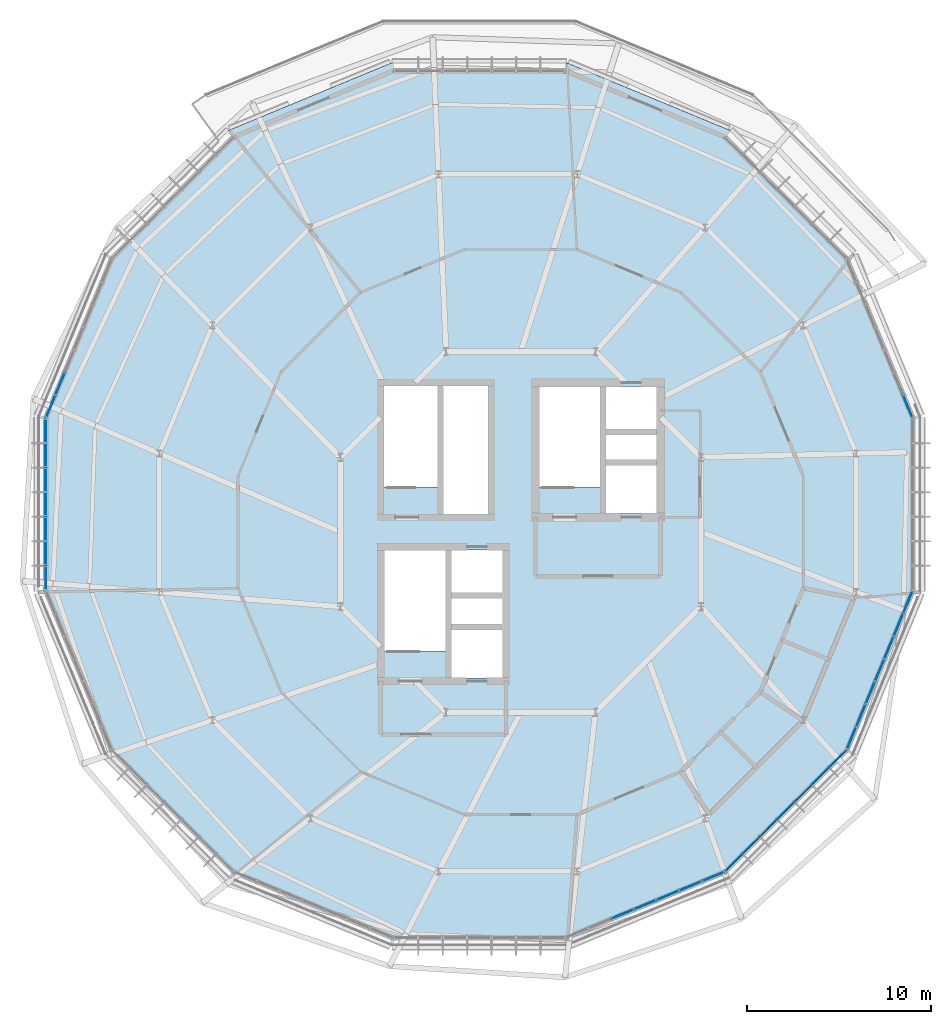
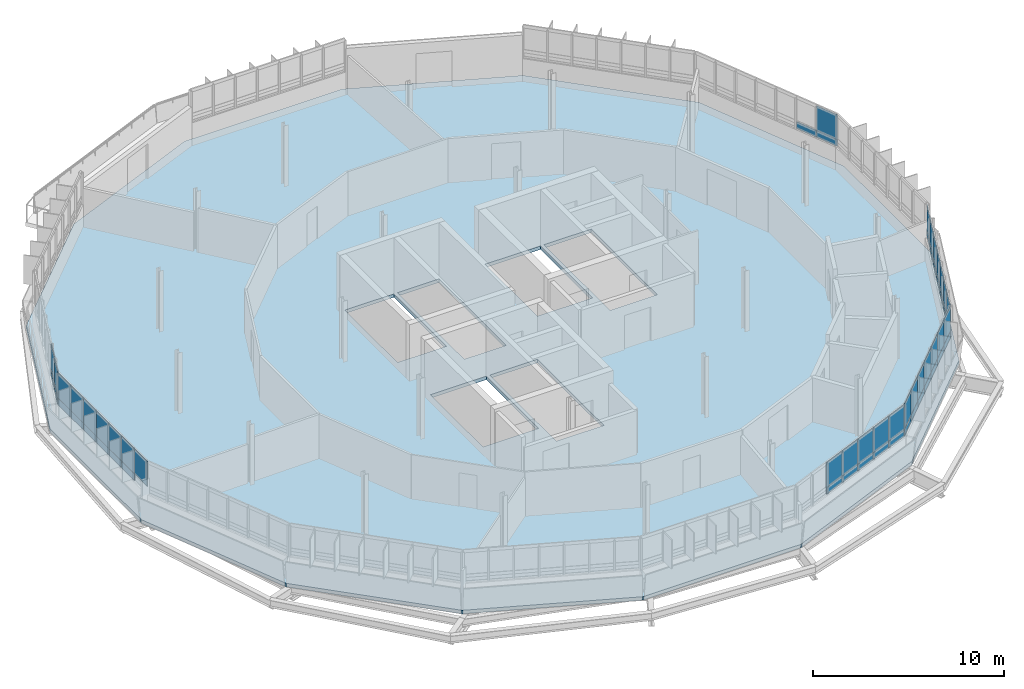
# One storey, part 24 of 31: 58 plates, 1 slab, 6 elements without a shape of their own.
"""IFC4 building model written with IfcOpenShell, lengths in metres."""

from ifc_helpers import new_model, si_unit, derived_unit, direction, frame, origin, origin_2d, place, context, subcontext, project, spatial, polyline, rectangle, outline, extrude, material, layer, layer_set, type_object, element, aggregate, save


model = new_model("IFC4")

# Units and contexts
model_context = context("Model", 3, precision=1e-05, world=origin(), true_north=direction((0.0, 1.0)))
body_context = subcontext(model_context, "Body", "Model", "MODEL_VIEW")
ifc_project = project(units=[si_unit("LENGTHUNIT", "METRE"), si_unit("AREAUNIT", "SQUARE_METRE"), si_unit("VOLUMEUNIT", "CUBIC_METRE"), si_unit("PLANEANGLEUNIT", "RADIAN"), si_unit("MASSUNIT", "GRAM", prefix="KILO"), derived_unit("THERMALTRANSMITTANCEUNIT", [(si_unit("MASSUNIT", "GRAM", prefix="KILO"), 1), (si_unit("TIMEUNIT", "SECOND"), -3), (si_unit("THERMODYNAMICTEMPERATUREUNIT", "KELVIN"), -1)])], contexts=[model_context])

# Site, building, storey
site_placement = place(None, origin())
site = spatial("IfcSite", under=ifc_project, at=site_placement, CompositionType="ELEMENT")
building_placement = place(site_placement, origin())
building = spatial("IfcBuilding", under=site, at=building_placement, Name="Makaiwela Harbour Ferry Terminal", CompositionType="ELEMENT")
storey_placement = place(building_placement, frame((0.0, 0.0, 21.60009765625)))
storey = spatial("IfcBuildingStorey", under=building, at=storey_placement, Name="L05", CompositionType="ELEMENT", Elevation=21.60009765625)

# Curtain wall, plate
ifc_material_1 = material(Name="Marine anodised aluminium 6063-T6", Category="aluminium")
ifc_layer_1 = layer(ifc_material_1, 0.199951171875)
ifc_layer_set_1 = layer_set([ifc_layer_1], Name="Marine anodised aluminium 6063-T6")
curtain_wall_type = type_object("IfcCurtainWallType", Name="ENV-CW-07", PredefinedType="USERDEFINED", material=ifc_layer_set_1)
curtain_wall_1_placement = place(storey_placement, origin())
curtain_wall_1 = element("IfcCurtainWall", 1, at=curtain_wall_1_placement, inside=storey, type_object=curtain_wall_type, Name="Unitised Curtain Wall CWA-058", ObjectType="UNITIZED CURTAIN WALL", PredefinedType="USERDEFINED")
ifc_material_2 = material(Name="Laminated hurricane-impact low-E insulated glazing", Category="glass")
ifc_layer_2 = layer(ifc_material_2, 0.031982421875)
ifc_layer_set_2 = layer_set([ifc_layer_2], Name="Laminated hurricane-impact low-E insulated glazing")
plate_type_1 = type_object("IfcPlateType", Name="CW-PNL-G10", PredefinedType="CURTAIN_PANEL", material=ifc_layer_set_2)
plate_1_placement = place(storey_placement, frame((58.822998046875, 74.423828125, 1.89990234375), z_axis=(0.0, 0.0, 1.0), x_axis=(-0.382683432365, 0.923879532511, 0.0)))
plate_1 = element("IfcPlate", 2, at=plate_1_placement, type_object=plate_type_1, Name="Glazed Vision Panel CWA-058-1G", PredefinedType="CURTAIN_PANEL", context=body_context, shape_type="SweptSolid", body=[
    extrude(rectangle(XDim=1.3291015625, YDim=0.031982421875, at=origin_2d()), origin(), (0.0, 0.0, 1.0), 1.580078125),
])

# Curtain wall, plates
curtain_wall_2_placement = place(storey_placement, origin())
curtain_wall_2 = element("IfcCurtainWall", 3, at=curtain_wall_2_placement, inside=storey, type_object=curtain_wall_type, Name="Unitised Curtain Wall CWA-062", ObjectType="UNITIZED CURTAIN WALL", PredefinedType="USERDEFINED")
plate_2_placement = place(storey_placement, frame((12.78564453125, 75.65185546875, 1.89990234375), z_axis=(0.0, 0.0, 1.0), x_axis=(-0.382683432365, -0.923879532511, 0.0)))
plate_2 = element("IfcPlate", 4, at=plate_2_placement, type_object=plate_type_1, Name="Glazed Vision Panel CWA-062-6G", PredefinedType="CURTAIN_PANEL", context=body_context, shape_type="SweptSolid", body=[
    extrude(rectangle(XDim=1.3291015625, YDim=0.031982421875, at=origin_2d()), origin(), (0.0, 0.0, 1.0), 1.580078125),
])
plate_3_placement = place(storey_placement, frame((12.277099609375, 74.423828125, 1.89990234375), z_axis=(0.0, 0.0, 1.0), x_axis=(-0.382683432365, -0.923879532511, 0.0)))
plate_3 = element("IfcPlate", 5, at=plate_3_placement, type_object=plate_type_1, Name="Glazed Vision Panel CWA-062-7G", PredefinedType="CURTAIN_PANEL", context=body_context, shape_type="SweptSolid", body=[
    extrude(rectangle(XDim=1.3291015625, YDim=0.031982421875, at=origin_2d()), origin(), (0.0, 0.0, 1.0), 1.580078125),
])

curtain_wall_3_placement = place(storey_placement, origin())
curtain_wall_3 = element("IfcCurtainWall", 6, at=curtain_wall_3_placement, inside=storey, type_object=curtain_wall_type, Name="Unitised Curtain Wall CWA-063", ObjectType="UNITIZED CURTAIN WALL", PredefinedType="USERDEFINED")
plate_4_placement = place(storey_placement, frame((12.01123046875, 73.087646484375, 1.89990234375), z_axis=(0.0, 0.0, 1.0), x_axis=(0.0, -1.0, 0.0)))
plate_4 = element("IfcPlate", 7, at=plate_4_placement, type_object=plate_type_1, Name="Glazed Vision Panel CWA-063-1G", PredefinedType="CURTAIN_PANEL", context=body_context, shape_type="SweptSolid", body=[
    extrude(rectangle(XDim=1.3291015625, YDim=0.031982421875, at=origin_2d()), origin(), (0.0, 0.0, 1.0), 1.580078125),
])
plate_5_placement = place(storey_placement, frame((12.01123046875, 71.75830078125, 1.89990234375), z_axis=(0.0, 0.0, 1.0), x_axis=(0.0, -1.0, 0.0)))
plate_5 = element("IfcPlate", 8, at=plate_5_placement, type_object=plate_type_1, Name="Glazed Vision Panel CWA-063-2G", PredefinedType="CURTAIN_PANEL", context=body_context, shape_type="SweptSolid", body=[
    extrude(rectangle(XDim=1.3291015625, YDim=0.031982421875, at=origin_2d()), origin(), (0.0, 0.0, 1.0), 1.580078125),
])
plate_6_placement = place(storey_placement, frame((12.01123046875, 70.42919921875, 1.89990234375), z_axis=(0.0, 0.0, 1.0), x_axis=(0.0, -1.0, 0.0)))
plate_6 = element("IfcPlate", 9, at=plate_6_placement, type_object=plate_type_1, Name="Glazed Vision Panel CWA-063-3G", PredefinedType="CURTAIN_PANEL", context=body_context, shape_type="SweptSolid", body=[
    extrude(rectangle(XDim=1.3291015625, YDim=0.031982421875, at=origin_2d()), origin(), (0.0, 0.0, 1.0), 1.580078125),
])
plate_7_placement = place(storey_placement, frame((12.01123046875, 69.10009765625, 1.89990234375), z_axis=(0.0, 0.0, 1.0), x_axis=(0.0, -1.0, 0.0)))
plate_7 = element("IfcPlate", 10, at=plate_7_placement, type_object=plate_type_1, Name="Glazed Vision Panel CWA-063-4G", PredefinedType="CURTAIN_PANEL", context=body_context, shape_type="SweptSolid", body=[
    extrude(rectangle(XDim=1.3291015625, YDim=0.031982421875, at=origin_2d()), origin(), (0.0, 0.0, 1.0), 1.580078125),
])
plate_8_placement = place(storey_placement, frame((12.01123046875, 67.770751953125, 1.89990234375), z_axis=(0.0, 0.0, 1.0), x_axis=(0.0, -1.0, 0.0)))
plate_8 = element("IfcPlate", 11, at=plate_8_placement, type_object=plate_type_1, Name="Glazed Vision Panel CWA-063-5G", PredefinedType="CURTAIN_PANEL", context=body_context, shape_type="SweptSolid", body=[
    extrude(rectangle(XDim=1.3291015625, YDim=0.031982421875, at=origin_2d()), origin(), (0.0, 0.0, 1.0), 1.580078125),
])
plate_9_placement = place(storey_placement, frame((12.01123046875, 66.441650390625, 1.89990234375), z_axis=(0.0, 0.0, 1.0), x_axis=(0.0, -1.0, 0.0)))
plate_9 = element("IfcPlate", 12, at=plate_9_placement, type_object=plate_type_1, Name="Glazed Vision Panel CWA-063-6G", PredefinedType="CURTAIN_PANEL", context=body_context, shape_type="SweptSolid", body=[
    extrude(rectangle(XDim=1.3291015625, YDim=0.031982421875, at=origin_2d()), origin(), (0.0, 0.0, 1.0), 1.580078125),
])
plate_10_placement = place(storey_placement, frame((12.01123046875, 65.1123046875, 1.89990234375), z_axis=(0.0, 0.0, 1.0), x_axis=(0.0, -1.0, 0.0)))
plate_10 = element("IfcPlate", 13, at=plate_10_placement, type_object=plate_type_1, Name="Glazed Vision Panel CWA-063-7G", PredefinedType="CURTAIN_PANEL", context=body_context, shape_type="SweptSolid", body=[
    extrude(rectangle(XDim=1.3291015625, YDim=0.031982421875, at=origin_2d()), origin(), (0.0, 0.0, 1.0), 1.580078125),
])

curtain_wall_4_placement = place(storey_placement, origin())
curtain_wall_4 = element("IfcCurtainWall", 14, at=curtain_wall_4_placement, inside=storey, type_object=curtain_wall_type, Name="Unitised Curtain Wall CWA-068", ObjectType="UNITIZED CURTAIN WALL", PredefinedType="USERDEFINED")
plate_11_placement = place(storey_placement, frame((43.329833984375, 46.84423828125, 1.89990234375), z_axis=(0.0, 0.0, 1.0), x_axis=(0.923879532511, 0.382683432365, 0.0)))
plate_11 = element("IfcPlate", 15, at=plate_11_placement, type_object=plate_type_1, Name="Glazed Vision Panel CWA-068-3G", PredefinedType="CURTAIN_PANEL", context=body_context, shape_type="SweptSolid", body=[
    extrude(rectangle(XDim=1.3291015625, YDim=0.031982421875, at=origin_2d()), origin(), (0.0, 0.0, 1.0), 1.580078125),
])
plate_12_placement = place(storey_placement, frame((44.55810546875, 47.352783203125, 1.89990234375), z_axis=(0.0, 0.0, 1.0), x_axis=(0.923879532511, 0.382683432365, 0.0)))
plate_12 = element("IfcPlate", 16, at=plate_12_placement, type_object=plate_type_1, Name="Glazed Vision Panel CWA-068-4G", PredefinedType="CURTAIN_PANEL", context=body_context, shape_type="SweptSolid", body=[
    extrude(rectangle(XDim=1.3291015625, YDim=0.031982421875, at=origin_2d()), origin(), (0.0, 0.0, 1.0), 1.580078125),
])
plate_13_placement = place(storey_placement, frame((45.785888671875, 47.861572265625, 1.89990234375), z_axis=(0.0, 0.0, 1.0), x_axis=(0.923879532511, 0.382683432365, 0.0)))
plate_13 = element("IfcPlate", 17, at=plate_13_placement, type_object=plate_type_1, Name="Glazed Vision Panel CWA-068-5G", PredefinedType="CURTAIN_PANEL", context=body_context, shape_type="SweptSolid", body=[
    extrude(rectangle(XDim=1.3291015625, YDim=0.031982421875, at=origin_2d()), origin(), (0.0, 0.0, 1.0), 1.580078125),
])
plate_14_placement = place(storey_placement, frame((47.013916015625, 48.3701171875, 1.89990234375), z_axis=(0.0, 0.0, 1.0), x_axis=(0.923879532511, 0.382683432365, 0.0)))
plate_14 = element("IfcPlate", 18, at=plate_14_placement, type_object=plate_type_1, Name="Glazed Vision Panel CWA-068-6G", PredefinedType="CURTAIN_PANEL", context=body_context, shape_type="SweptSolid", body=[
    extrude(rectangle(XDim=1.3291015625, YDim=0.031982421875, at=origin_2d()), origin(), (0.0, 0.0, 1.0), 1.580078125),
])
plate_15_placement = place(storey_placement, frame((48.241943359375, 48.87890625, 1.89990234375), z_axis=(0.0, 0.0, 1.0), x_axis=(0.923879532511, 0.382683432365, 0.0)))
plate_15 = element("IfcPlate", 19, at=plate_15_placement, type_object=plate_type_1, Name="Glazed Vision Panel CWA-068-7G", PredefinedType="CURTAIN_PANEL", context=body_context, shape_type="SweptSolid", body=[
    extrude(rectangle(XDim=1.3291015625, YDim=0.031982421875, at=origin_2d()), origin(), (0.0, 0.0, 1.0), 1.580078125),
])

curtain_wall_5_placement = place(storey_placement, origin())
curtain_wall_5 = element("IfcCurtainWall", 20, at=curtain_wall_5_placement, inside=storey, type_object=curtain_wall_type, Name="Unitised Curtain Wall CWA-069", ObjectType="UNITIZED CURTAIN WALL", PredefinedType="USERDEFINED")
plate_16_placement = place(storey_placement, frame((49.374755859375, 49.6357421875, 1.89990234375), z_axis=(0.0, 0.0, 1.0), x_axis=(0.707106781187, 0.707106781187, 0.0)))
plate_16 = element("IfcPlate", 21, at=plate_16_placement, type_object=plate_type_1, Name="Glazed Vision Panel CWA-069-1G", PredefinedType="CURTAIN_PANEL", context=body_context, shape_type="SweptSolid", body=[
    extrude(rectangle(XDim=1.3291015625, YDim=0.031982421875, at=origin_2d()), origin(), (0.0, 0.0, 1.0), 1.580078125),
])
plate_17_placement = place(storey_placement, frame((50.314697265625, 50.57568359375, 1.89990234375), z_axis=(0.0, 0.0, 1.0), x_axis=(0.707106781187, 0.707106781187, 0.0)))
plate_17 = element("IfcPlate", 22, at=plate_17_placement, type_object=plate_type_1, Name="Glazed Vision Panel CWA-069-2G", PredefinedType="CURTAIN_PANEL", context=body_context, shape_type="SweptSolid", body=[
    extrude(rectangle(XDim=1.3291015625, YDim=0.031982421875, at=origin_2d()), origin(), (0.0, 0.0, 1.0), 1.580078125),
])
plate_18_placement = place(storey_placement, frame((51.254638671875, 51.515625, 1.89990234375), z_axis=(0.0, 0.0, 1.0), x_axis=(0.707106781187, 0.707106781187, 0.0)))
plate_18 = element("IfcPlate", 23, at=plate_18_placement, type_object=plate_type_1, Name="Glazed Vision Panel CWA-069-3G", PredefinedType="CURTAIN_PANEL", context=body_context, shape_type="SweptSolid", body=[
    extrude(rectangle(XDim=1.3291015625, YDim=0.031982421875, at=origin_2d()), origin(), (0.0, 0.0, 1.0), 1.580078125),
])
plate_19_placement = place(storey_placement, frame((52.194580078125, 52.45556640625, 1.89990234375), z_axis=(0.0, 0.0, 1.0), x_axis=(0.707106781187, 0.707106781187, 0.0)))
plate_19 = element("IfcPlate", 24, at=plate_19_placement, type_object=plate_type_1, Name="Glazed Vision Panel CWA-069-4G", PredefinedType="CURTAIN_PANEL", context=body_context, shape_type="SweptSolid", body=[
    extrude(rectangle(XDim=1.3291015625, YDim=0.031982421875, at=origin_2d()), origin(), (0.0, 0.0, 1.0), 1.580078125),
])
plate_20_placement = place(storey_placement, frame((53.134521484375, 53.3955078125, 1.89990234375), z_axis=(0.0, 0.0, 1.0), x_axis=(0.707106781187, 0.707106781187, 0.0)))
plate_20 = element("IfcPlate", 25, at=plate_20_placement, type_object=plate_type_1, Name="Glazed Vision Panel CWA-069-5G", PredefinedType="CURTAIN_PANEL", context=body_context, shape_type="SweptSolid", body=[
    extrude(rectangle(XDim=1.3291015625, YDim=0.031982421875, at=origin_2d()), origin(), (0.0, 0.0, 1.0), 1.580078125),
])
plate_21_placement = place(storey_placement, frame((54.07421875, 54.335205078125, 1.89990234375), z_axis=(0.0, 0.0, 1.0), x_axis=(0.707106781187, 0.707106781187, 0.0)))
plate_21 = element("IfcPlate", 26, at=plate_21_placement, type_object=plate_type_1, Name="Glazed Vision Panel CWA-069-6G", PredefinedType="CURTAIN_PANEL", context=body_context, shape_type="SweptSolid", body=[
    extrude(rectangle(XDim=1.3291015625, YDim=0.031982421875, at=origin_2d()), origin(), (0.0, 0.0, 1.0), 1.580078125),
])
plate_22_placement = place(storey_placement, frame((55.01416015625, 55.275146484375, 1.89990234375), z_axis=(0.0, 0.0, 1.0), x_axis=(0.707106781187, 0.707106781187, 0.0)))
plate_22 = element("IfcPlate", 27, at=plate_22_placement, type_object=plate_type_1, Name="Glazed Vision Panel CWA-069-7G", PredefinedType="CURTAIN_PANEL", context=body_context, shape_type="SweptSolid", body=[
    extrude(rectangle(XDim=1.3291015625, YDim=0.031982421875, at=origin_2d()), origin(), (0.0, 0.0, 1.0), 1.580078125),
])

curtain_wall_6_placement = place(storey_placement, origin())
curtain_wall_6 = element("IfcCurtainWall", 28, at=curtain_wall_6_placement, inside=storey, type_object=curtain_wall_type, Name="Unitised Curtain Wall CWA-070", ObjectType="UNITIZED CURTAIN WALL", PredefinedType="USERDEFINED")
plate_23_placement = place(storey_placement, frame((55.77099609375, 56.407958984375, 1.89990234375), z_axis=(0.0, 0.0, 1.0), x_axis=(0.382683432365, 0.923879532511, 0.0)))
plate_23 = element("IfcPlate", 29, at=plate_23_placement, type_object=plate_type_1, Name="Glazed Vision Panel CWA-070-1G", PredefinedType="CURTAIN_PANEL", context=body_context, shape_type="SweptSolid", body=[
    extrude(rectangle(XDim=1.3291015625, YDim=0.031982421875, at=origin_2d()), origin(), (0.0, 0.0, 1.0), 1.580078125),
])
plate_24_placement = place(storey_placement, frame((56.27978515625, 57.635986328125, 1.89990234375), z_axis=(0.0, 0.0, 1.0), x_axis=(0.382683432365, 0.923879532511, 0.0)))
plate_24 = element("IfcPlate", 30, at=plate_24_placement, type_object=plate_type_1, Name="Glazed Vision Panel CWA-070-2G", PredefinedType="CURTAIN_PANEL", context=body_context, shape_type="SweptSolid", body=[
    extrude(rectangle(XDim=1.3291015625, YDim=0.031982421875, at=origin_2d()), origin(), (0.0, 0.0, 1.0), 1.580078125),
])
plate_25_placement = place(storey_placement, frame((56.788330078125, 58.864013671875, 1.89990234375), z_axis=(0.0, 0.0, 1.0), x_axis=(0.382683432365, 0.923879532511, 0.0)))
plate_25 = element("IfcPlate", 31, at=plate_25_placement, type_object=plate_type_1, Name="Glazed Vision Panel CWA-070-3G", PredefinedType="CURTAIN_PANEL", context=body_context, shape_type="SweptSolid", body=[
    extrude(rectangle(XDim=1.3291015625, YDim=0.031982421875, at=origin_2d()), origin(), (0.0, 0.0, 1.0), 1.580078125),
])
plate_26_placement = place(storey_placement, frame((57.297119140625, 60.092041015625, 1.89990234375), z_axis=(0.0, 0.0, 1.0), x_axis=(0.382683432365, 0.923879532511, 0.0)))
plate_26 = element("IfcPlate", 32, at=plate_26_placement, type_object=plate_type_1, Name="Glazed Vision Panel CWA-070-4G", PredefinedType="CURTAIN_PANEL", context=body_context, shape_type="SweptSolid", body=[
    extrude(rectangle(XDim=1.3291015625, YDim=0.031982421875, at=origin_2d()), origin(), (0.0, 0.0, 1.0), 1.580078125),
])
plate_27_placement = place(storey_placement, frame((57.8056640625, 61.320068359375, 1.89990234375), z_axis=(0.0, 0.0, 1.0), x_axis=(0.382683432365, 0.923879532511, 0.0)))
plate_27 = element("IfcPlate", 33, at=plate_27_placement, type_object=plate_type_1, Name="Glazed Vision Panel CWA-070-5G", PredefinedType="CURTAIN_PANEL", context=body_context, shape_type="SweptSolid", body=[
    extrude(rectangle(XDim=1.3291015625, YDim=0.031982421875, at=origin_2d()), origin(), (0.0, 0.0, 1.0), 1.580078125),
])
plate_28_placement = place(storey_placement, frame((58.314208984375, 62.548095703125, 1.89990234375), z_axis=(0.0, 0.0, 1.0), x_axis=(0.382683432365, 0.923879532511, 0.0)))
plate_28 = element("IfcPlate", 34, at=plate_28_placement, type_object=plate_type_1, Name="Glazed Vision Panel CWA-070-6G", PredefinedType="CURTAIN_PANEL", context=body_context, shape_type="SweptSolid", body=[
    extrude(rectangle(XDim=1.3291015625, YDim=0.031982421875, at=origin_2d()), origin(), (0.0, 0.0, 1.0), 1.580078125),
])
plate_29_placement = place(storey_placement, frame((58.822998046875, 63.776123046875, 1.89990234375), z_axis=(0.0, 0.0, 1.0), x_axis=(0.382683432365, 0.923879532511, 0.0)))
plate_29 = element("IfcPlate", 35, at=plate_29_placement, type_object=plate_type_1, Name="Glazed Vision Panel CWA-070-7G", PredefinedType="CURTAIN_PANEL", context=body_context, shape_type="SweptSolid", body=[
    extrude(rectangle(XDim=1.3291015625, YDim=0.031982421875, at=origin_2d()), origin(), (0.0, 0.0, 1.0), 1.580078125),
])

# Plate
ifc_material_3 = material(Name="Insulated marine aluminium spandrel panel", Category="aluminium")
ifc_layer_3 = layer(ifc_material_3, 0.048095703125)
ifc_layer_set_3 = layer_set([ifc_layer_3], Name="Insulated marine aluminium spandrel panel")
plate_type_2 = type_object("IfcPlateType", Name="CW-PNL-S01", PredefinedType="CURTAIN_PANEL", material=ifc_layer_set_3)
plate_30_placement = place(storey_placement, frame((58.822998046875, 74.423828125, 1.47998046875), z_axis=(0.0, 0.0, 1.0), x_axis=(-0.382683432365, 0.923879532511, 0.0)))
plate_30 = element("IfcPlate", 36, at=plate_30_placement, type_object=plate_type_2, Name="Spandrel Panel CWA-058-1S", PredefinedType="CURTAIN_PANEL", context=body_context, shape_type="SweptSolid", body=[
    extrude(rectangle(XDim=1.3291015625, YDim=0.048095703125, at=origin_2d()), origin(), (0.0, 0.0, 1.0), 0.419921875),
])

plate_31_placement = place(storey_placement, frame((58.314208984375, 75.65185546875, 1.47998046875), z_axis=(0.0, 0.0, 1.0), x_axis=(-0.382683432365, 0.923879532511, 0.0)))
plate_31 = element("IfcPlate", 37, at=plate_31_placement, type_object=plate_type_2, Name="Spandrel Panel CWA-058-2S", PredefinedType="CURTAIN_PANEL", context=body_context, shape_type="SweptSolid", body=[
    extrude(rectangle(XDim=1.3291015625, YDim=0.048095703125, at=origin_2d()), origin(), (0.0, 0.0, 1.0), 0.419921875),
])

aggregate(curtain_wall_1, [plate_30, plate_1, plate_31])

plate_32_placement = place(storey_placement, frame((12.78564453125, 75.65185546875, 1.47998046875), z_axis=(0.0, 0.0, 1.0), x_axis=(-0.382683432365, -0.923879532511, 0.0)))
plate_32 = element("IfcPlate", 38, at=plate_32_placement, type_object=plate_type_2, Name="Spandrel Panel CWA-062-6S", PredefinedType="CURTAIN_PANEL", context=body_context, shape_type="SweptSolid", body=[
    extrude(rectangle(XDim=1.3291015625, YDim=0.048095703125, at=origin_2d()), origin(), (0.0, 0.0, 1.0), 0.419921875),
])

plate_33_placement = place(storey_placement, frame((12.277099609375, 74.423828125, 1.47998046875), z_axis=(0.0, 0.0, 1.0), x_axis=(-0.382683432365, -0.923879532511, 0.0)))
plate_33 = element("IfcPlate", 39, at=plate_33_placement, type_object=plate_type_2, Name="Spandrel Panel CWA-062-7S", PredefinedType="CURTAIN_PANEL", context=body_context, shape_type="SweptSolid", body=[
    extrude(rectangle(XDim=1.3291015625, YDim=0.048095703125, at=origin_2d()), origin(), (0.0, 0.0, 1.0), 0.419921875),
])

aggregate(curtain_wall_2, [plate_32, plate_2, plate_33, plate_3])

plate_34_placement = place(storey_placement, frame((12.01123046875, 73.087646484375, 1.47998046875), z_axis=(0.0, 0.0, 1.0), x_axis=(0.0, -1.0, 0.0)))
plate_34 = element("IfcPlate", 40, at=plate_34_placement, type_object=plate_type_2, Name="Spandrel Panel CWA-063-1S", PredefinedType="CURTAIN_PANEL", context=body_context, shape_type="SweptSolid", body=[
    extrude(rectangle(XDim=1.3291015625, YDim=0.048095703125, at=origin_2d()), origin(), (0.0, 0.0, 1.0), 0.419921875),
])

plate_35_placement = place(storey_placement, frame((12.01123046875, 71.75830078125, 1.47998046875), z_axis=(0.0, 0.0, 1.0), x_axis=(0.0, -1.0, 0.0)))
plate_35 = element("IfcPlate", 41, at=plate_35_placement, type_object=plate_type_2, Name="Spandrel Panel CWA-063-2S", PredefinedType="CURTAIN_PANEL", context=body_context, shape_type="SweptSolid", body=[
    extrude(rectangle(XDim=1.3291015625, YDim=0.048095703125, at=origin_2d()), origin(), (0.0, 0.0, 1.0), 0.419921875),
])

plate_36_placement = place(storey_placement, frame((12.01123046875, 70.42919921875, 1.47998046875), z_axis=(0.0, 0.0, 1.0), x_axis=(0.0, -1.0, 0.0)))
plate_36 = element("IfcPlate", 42, at=plate_36_placement, type_object=plate_type_2, Name="Spandrel Panel CWA-063-3S", PredefinedType="CURTAIN_PANEL", context=body_context, shape_type="SweptSolid", body=[
    extrude(rectangle(XDim=1.3291015625, YDim=0.048095703125, at=origin_2d()), origin(), (0.0, 0.0, 1.0), 0.419921875),
])

plate_37_placement = place(storey_placement, frame((12.01123046875, 69.10009765625, 1.47998046875), z_axis=(0.0, 0.0, 1.0), x_axis=(0.0, -1.0, 0.0)))
plate_37 = element("IfcPlate", 43, at=plate_37_placement, type_object=plate_type_2, Name="Spandrel Panel CWA-063-4S", PredefinedType="CURTAIN_PANEL", context=body_context, shape_type="SweptSolid", body=[
    extrude(rectangle(XDim=1.3291015625, YDim=0.048095703125, at=origin_2d()), origin(), (0.0, 0.0, 1.0), 0.419921875),
])

plate_38_placement = place(storey_placement, frame((12.01123046875, 67.770751953125, 1.47998046875), z_axis=(0.0, 0.0, 1.0), x_axis=(0.0, -1.0, 0.0)))
plate_38 = element("IfcPlate", 44, at=plate_38_placement, type_object=plate_type_2, Name="Spandrel Panel CWA-063-5S", PredefinedType="CURTAIN_PANEL", context=body_context, shape_type="SweptSolid", body=[
    extrude(rectangle(XDim=1.3291015625, YDim=0.048095703125, at=origin_2d()), origin(), (0.0, 0.0, 1.0), 0.419921875),
])

plate_39_placement = place(storey_placement, frame((12.01123046875, 66.441650390625, 1.47998046875), z_axis=(0.0, 0.0, 1.0), x_axis=(0.0, -1.0, 0.0)))
plate_39 = element("IfcPlate", 45, at=plate_39_placement, type_object=plate_type_2, Name="Spandrel Panel CWA-063-6S", PredefinedType="CURTAIN_PANEL", context=body_context, shape_type="SweptSolid", body=[
    extrude(rectangle(XDim=1.3291015625, YDim=0.048095703125, at=origin_2d()), origin(), (0.0, 0.0, 1.0), 0.419921875),
])

aggregate(curtain_wall_3, [plate_34, plate_4, plate_35, plate_5, plate_36, plate_6, plate_37, plate_7, plate_38, plate_8, plate_39, plate_9, plate_10])

plate_40_placement = place(storey_placement, frame((43.329833984375, 46.84423828125, 1.47998046875), z_axis=(0.0, 0.0, 1.0), x_axis=(0.923879532511, 0.382683432365, 0.0)))
plate_40 = element("IfcPlate", 46, at=plate_40_placement, type_object=plate_type_2, Name="Spandrel Panel CWA-068-3S", PredefinedType="CURTAIN_PANEL", context=body_context, shape_type="SweptSolid", body=[
    extrude(rectangle(XDim=1.3291015625, YDim=0.048095703125, at=origin_2d()), origin(), (0.0, 0.0, 1.0), 0.419921875),
])

plate_41_placement = place(storey_placement, frame((44.55810546875, 47.352783203125, 1.47998046875), z_axis=(0.0, 0.0, 1.0), x_axis=(0.923879532511, 0.382683432365, 0.0)))
plate_41 = element("IfcPlate", 47, at=plate_41_placement, type_object=plate_type_2, Name="Spandrel Panel CWA-068-4S", PredefinedType="CURTAIN_PANEL", context=body_context, shape_type="SweptSolid", body=[
    extrude(rectangle(XDim=1.3291015625, YDim=0.048095703125, at=origin_2d()), origin(), (0.0, 0.0, 1.0), 0.419921875),
])

plate_42_placement = place(storey_placement, frame((45.785888671875, 47.861572265625, 1.47998046875), z_axis=(0.0, 0.0, 1.0), x_axis=(0.923879532511, 0.382683432365, 0.0)))
plate_42 = element("IfcPlate", 48, at=plate_42_placement, type_object=plate_type_2, Name="Spandrel Panel CWA-068-5S", PredefinedType="CURTAIN_PANEL", context=body_context, shape_type="SweptSolid", body=[
    extrude(rectangle(XDim=1.3291015625, YDim=0.048095703125, at=origin_2d()), origin(), (0.0, 0.0, 1.0), 0.419921875),
])

plate_43_placement = place(storey_placement, frame((47.013916015625, 48.3701171875, 1.47998046875), z_axis=(0.0, 0.0, 1.0), x_axis=(0.923879532511, 0.382683432365, 0.0)))
plate_43 = element("IfcPlate", 49, at=plate_43_placement, type_object=plate_type_2, Name="Spandrel Panel CWA-068-6S", PredefinedType="CURTAIN_PANEL", context=body_context, shape_type="SweptSolid", body=[
    extrude(rectangle(XDim=1.3291015625, YDim=0.048095703125, at=origin_2d()), origin(), (0.0, 0.0, 1.0), 0.419921875),
])

plate_44_placement = place(storey_placement, frame((48.241943359375, 48.87890625, 1.47998046875), z_axis=(0.0, 0.0, 1.0), x_axis=(0.923879532511, 0.382683432365, 0.0)))
plate_44 = element("IfcPlate", 50, at=plate_44_placement, type_object=plate_type_2, Name="Spandrel Panel CWA-068-7S", PredefinedType="CURTAIN_PANEL", context=body_context, shape_type="SweptSolid", body=[
    extrude(rectangle(XDim=1.3291015625, YDim=0.048095703125, at=origin_2d()), origin(), (0.0, 0.0, 1.0), 0.419921875),
])

aggregate(curtain_wall_4, [plate_40, plate_11, plate_41, plate_12, plate_42, plate_13, plate_43, plate_14, plate_44, plate_15])

plate_45_placement = place(storey_placement, frame((49.374755859375, 49.6357421875, 1.47998046875), z_axis=(0.0, 0.0, 1.0), x_axis=(0.707106781187, 0.707106781187, 0.0)))
plate_45 = element("IfcPlate", 51, at=plate_45_placement, type_object=plate_type_2, Name="Spandrel Panel CWA-069-1S", PredefinedType="CURTAIN_PANEL", context=body_context, shape_type="SweptSolid", body=[
    extrude(rectangle(XDim=1.3291015625, YDim=0.048095703125, at=origin_2d()), origin(), (0.0, 0.0, 1.0), 0.419921875),
])

plate_46_placement = place(storey_placement, frame((50.314697265625, 50.57568359375, 1.47998046875), z_axis=(0.0, 0.0, 1.0), x_axis=(0.707106781187, 0.707106781187, 0.0)))
plate_46 = element("IfcPlate", 52, at=plate_46_placement, type_object=plate_type_2, Name="Spandrel Panel CWA-069-2S", PredefinedType="CURTAIN_PANEL", context=body_context, shape_type="SweptSolid", body=[
    extrude(rectangle(XDim=1.3291015625, YDim=0.048095703125, at=origin_2d()), origin(), (0.0, 0.0, 1.0), 0.419921875),
])

plate_47_placement = place(storey_placement, frame((51.254638671875, 51.515625, 1.47998046875), z_axis=(0.0, 0.0, 1.0), x_axis=(0.707106781187, 0.707106781187, 0.0)))
plate_47 = element("IfcPlate", 53, at=plate_47_placement, type_object=plate_type_2, Name="Spandrel Panel CWA-069-3S", PredefinedType="CURTAIN_PANEL", context=body_context, shape_type="SweptSolid", body=[
    extrude(rectangle(XDim=1.3291015625, YDim=0.048095703125, at=origin_2d()), origin(), (0.0, 0.0, 1.0), 0.419921875),
])

plate_48_placement = place(storey_placement, frame((52.194580078125, 52.45556640625, 1.47998046875), z_axis=(0.0, 0.0, 1.0), x_axis=(0.707106781187, 0.707106781187, 0.0)))
plate_48 = element("IfcPlate", 54, at=plate_48_placement, type_object=plate_type_2, Name="Spandrel Panel CWA-069-4S", PredefinedType="CURTAIN_PANEL", context=body_context, shape_type="SweptSolid", body=[
    extrude(rectangle(XDim=1.3291015625, YDim=0.048095703125, at=origin_2d()), origin(), (0.0, 0.0, 1.0), 0.419921875),
])

plate_49_placement = place(storey_placement, frame((53.134521484375, 53.3955078125, 1.47998046875), z_axis=(0.0, 0.0, 1.0), x_axis=(0.707106781187, 0.707106781187, 0.0)))
plate_49 = element("IfcPlate", 55, at=plate_49_placement, type_object=plate_type_2, Name="Spandrel Panel CWA-069-5S", PredefinedType="CURTAIN_PANEL", context=body_context, shape_type="SweptSolid", body=[
    extrude(rectangle(XDim=1.3291015625, YDim=0.048095703125, at=origin_2d()), origin(), (0.0, 0.0, 1.0), 0.419921875),
])

plate_50_placement = place(storey_placement, frame((54.07421875, 54.335205078125, 1.47998046875), z_axis=(0.0, 0.0, 1.0), x_axis=(0.707106781187, 0.707106781187, 0.0)))
plate_50 = element("IfcPlate", 56, at=plate_50_placement, type_object=plate_type_2, Name="Spandrel Panel CWA-069-6S", PredefinedType="CURTAIN_PANEL", context=body_context, shape_type="SweptSolid", body=[
    extrude(rectangle(XDim=1.3291015625, YDim=0.048095703125, at=origin_2d()), origin(), (0.0, 0.0, 1.0), 0.419921875),
])

plate_51_placement = place(storey_placement, frame((55.01416015625, 55.275146484375, 1.47998046875), z_axis=(0.0, 0.0, 1.0), x_axis=(0.707106781187, 0.707106781187, 0.0)))
plate_51 = element("IfcPlate", 57, at=plate_51_placement, type_object=plate_type_2, Name="Spandrel Panel CWA-069-7S", PredefinedType="CURTAIN_PANEL", context=body_context, shape_type="SweptSolid", body=[
    extrude(rectangle(XDim=1.3291015625, YDim=0.048095703125, at=origin_2d()), origin(), (0.0, 0.0, 1.0), 0.419921875),
])

aggregate(curtain_wall_5, [plate_45, plate_16, plate_46, plate_17, plate_47, plate_18, plate_48, plate_19, plate_49, plate_20, plate_50, plate_21, plate_51, plate_22])

plate_52_placement = place(storey_placement, frame((55.77099609375, 56.407958984375, 1.47998046875), z_axis=(0.0, 0.0, 1.0), x_axis=(0.382683432365, 0.923879532511, 0.0)))
plate_52 = element("IfcPlate", 58, at=plate_52_placement, type_object=plate_type_2, Name="Spandrel Panel CWA-070-1S", PredefinedType="CURTAIN_PANEL", context=body_context, shape_type="SweptSolid", body=[
    extrude(rectangle(XDim=1.3291015625, YDim=0.048095703125, at=origin_2d()), origin(), (0.0, 0.0, 1.0), 0.419921875),
])

plate_53_placement = place(storey_placement, frame((56.27978515625, 57.635986328125, 1.47998046875), z_axis=(0.0, 0.0, 1.0), x_axis=(0.382683432365, 0.923879532511, 0.0)))
plate_53 = element("IfcPlate", 59, at=plate_53_placement, type_object=plate_type_2, Name="Spandrel Panel CWA-070-2S", PredefinedType="CURTAIN_PANEL", context=body_context, shape_type="SweptSolid", body=[
    extrude(rectangle(XDim=1.3291015625, YDim=0.048095703125, at=origin_2d()), origin(), (0.0, 0.0, 1.0), 0.419921875),
])

plate_54_placement = place(storey_placement, frame((56.788330078125, 58.864013671875, 1.47998046875), z_axis=(0.0, 0.0, 1.0), x_axis=(0.382683432365, 0.923879532511, 0.0)))
plate_54 = element("IfcPlate", 60, at=plate_54_placement, type_object=plate_type_2, Name="Spandrel Panel CWA-070-3S", PredefinedType="CURTAIN_PANEL", context=body_context, shape_type="SweptSolid", body=[
    extrude(rectangle(XDim=1.3291015625, YDim=0.048095703125, at=origin_2d()), origin(), (0.0, 0.0, 1.0), 0.419921875),
])

plate_55_placement = place(storey_placement, frame((57.297119140625, 60.092041015625, 1.47998046875), z_axis=(0.0, 0.0, 1.0), x_axis=(0.382683432365, 0.923879532511, 0.0)))
plate_55 = element("IfcPlate", 61, at=plate_55_placement, type_object=plate_type_2, Name="Spandrel Panel CWA-070-4S", PredefinedType="CURTAIN_PANEL", context=body_context, shape_type="SweptSolid", body=[
    extrude(rectangle(XDim=1.3291015625, YDim=0.048095703125, at=origin_2d()), origin(), (0.0, 0.0, 1.0), 0.419921875),
])

plate_56_placement = place(storey_placement, frame((57.8056640625, 61.320068359375, 1.47998046875), z_axis=(0.0, 0.0, 1.0), x_axis=(0.382683432365, 0.923879532511, 0.0)))
plate_56 = element("IfcPlate", 62, at=plate_56_placement, type_object=plate_type_2, Name="Spandrel Panel CWA-070-5S", PredefinedType="CURTAIN_PANEL", context=body_context, shape_type="SweptSolid", body=[
    extrude(rectangle(XDim=1.3291015625, YDim=0.048095703125, at=origin_2d()), origin(), (0.0, 0.0, 1.0), 0.419921875),
])

plate_57_placement = place(storey_placement, frame((58.314208984375, 62.548095703125, 1.47998046875), z_axis=(0.0, 0.0, 1.0), x_axis=(0.382683432365, 0.923879532511, 0.0)))
plate_57 = element("IfcPlate", 63, at=plate_57_placement, type_object=plate_type_2, Name="Spandrel Panel CWA-070-6S", PredefinedType="CURTAIN_PANEL", context=body_context, shape_type="SweptSolid", body=[
    extrude(rectangle(XDim=1.3291015625, YDim=0.048095703125, at=origin_2d()), origin(), (0.0, 0.0, 1.0), 0.419921875),
])

plate_58_placement = place(storey_placement, frame((58.822998046875, 63.776123046875, 1.47998046875), z_axis=(0.0, 0.0, 1.0), x_axis=(0.382683432365, 0.923879532511, 0.0)))
plate_58 = element("IfcPlate", 64, at=plate_58_placement, type_object=plate_type_2, Name="Spandrel Panel CWA-070-7S", PredefinedType="CURTAIN_PANEL", context=body_context, shape_type="SweptSolid", body=[
    extrude(rectangle(XDim=1.3291015625, YDim=0.048095703125, at=origin_2d()), origin(), (0.0, 0.0, 1.0), 0.419921875),
])

aggregate(curtain_wall_6, [plate_52, plate_23, plate_53, plate_24, plate_54, plate_25, plate_55, plate_26, plate_56, plate_27, plate_57, plate_28, plate_58, plate_29])

# Slab
ifc_material_4 = material(Name="Concrete f'c 35 MPa (5000 psi)", Category="concrete")
ifc_layer_4 = layer(ifc_material_4, 0.219970703125)
ifc_layer_set_4 = layer_set([ifc_layer_4], Name="Concrete f'c 35 MPa (5000 psi)")
slab_type = type_object("IfcSlabType", Name="SLB-FLR-220", PredefinedType="FLOOR", material=ifc_layer_set_4)
slab_placement = place(storey_placement, frame((0.0, 0.0, -0.22021484375)))
element("IfcSlab", 65, at=slab_placement, inside=storey, type_object=slab_type, Name="Slab SLB-045", PredefinedType="FLOOR", context=body_context, shape_type="SweptSolid", body=[
    extrude(outline(polyline([(59.5302734375, 73.8701171875), (55.87939453125, 82.68359375), (49.1337890625, 89.429443359375), (40.320068359375, 93.080078125), (30.780029296875, 93.080078125), (21.96630859375, 89.429443359375), (15.220703125, 82.68359375), (11.56982421875, 73.8701171875), (11.56982421875, 64.330078125), (15.220703125, 55.516357421875), (21.96630859375, 48.7705078125), (30.780029296875, 45.119873046875), (40.320068359375, 45.119873046875), (49.1337890625, 48.7705078125), (55.87939453125, 55.516357421875), (59.5302734375, 64.330078125), (59.5302734375, 73.8701171875)]), holes=[polyline([(38.794921875, 70.0400390625), (38.794921875, 75.5048828125), (42.14208984375, 75.5048828125), (42.14208984375, 70.0400390625), (38.794921875, 70.0400390625)]), polyline([(42.35205078125, 68.594970703125), (42.35205078125, 75.5048828125), (45.205078125, 75.5048828125), (45.205078125, 68.594970703125), (42.35205078125, 68.594970703125)]), polyline([(30.3701171875, 61.139892578125), (30.3701171875, 66.6298828125), (33.741943359375, 66.6298828125), (33.741943359375, 61.139892578125), (30.3701171875, 61.139892578125)]), polyline([(33.951904296875, 59.669921875), (33.951904296875, 66.6298828125), (36.830078125, 66.6298828125), (36.830078125, 59.669921875), (33.951904296875, 59.669921875)]), polyline([(30.35009765625, 70.0400390625), (30.35009765625, 75.550048828125), (33.31005859375, 75.550048828125), (33.31005859375, 70.0400390625), (30.35009765625, 70.0400390625)]), polyline([(33.52001953125, 68.550048828125), (33.52001953125, 75.550048828125), (36.050048828125, 75.550048828125), (36.050048828125, 68.550048828125), (33.52001953125, 68.550048828125)])]), origin(), (0.0, 0.0, 1.0), 0.22021484375),
])

save(model, "model.ifc")
